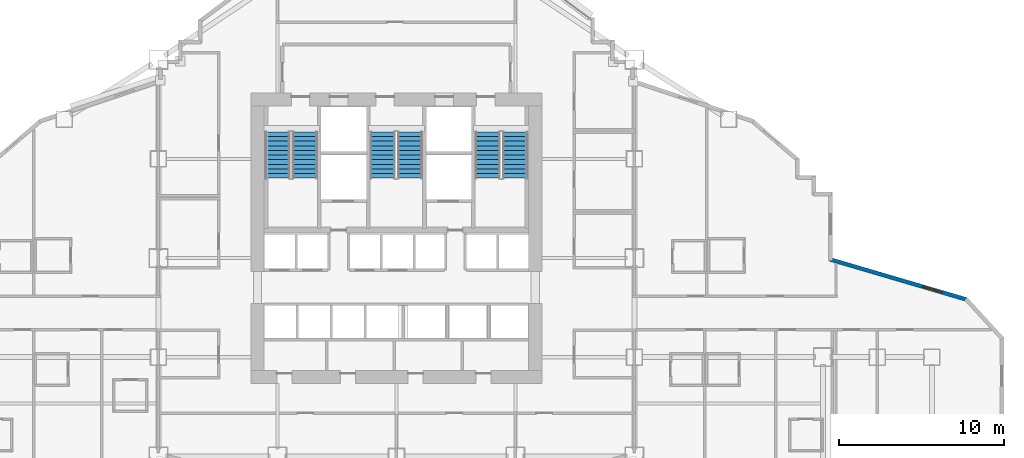
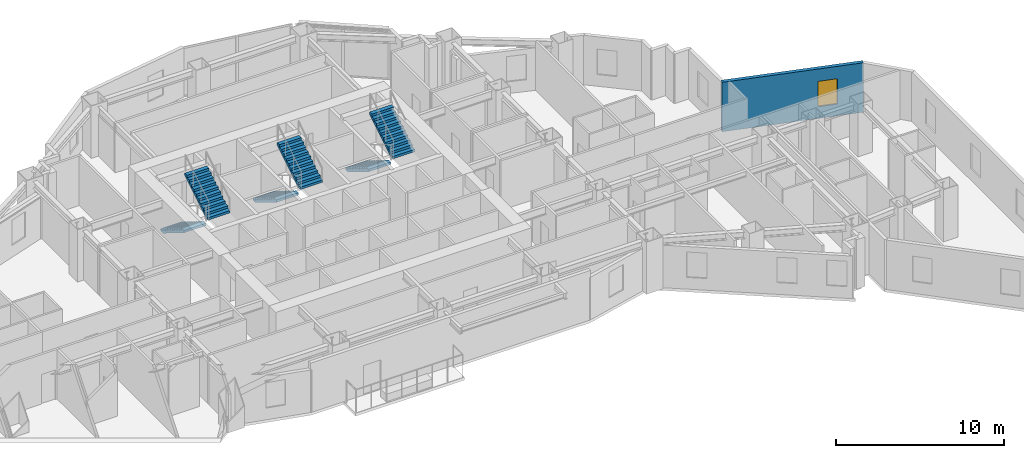
# One storey, part 12 of 17: 6 stair flights, 1 wall, 1 window, 1 opening, 3 elements without a shape of their own.
"""IFC4 building model written with IfcOpenShell, lengths in metres."""

from ifc_helpers import new_model, si_unit, direction, frame, frame_2d, origin, place, context, subcontext, project, spatial, polyline, rectangle, outline, extrude, material, layer, layer_set, type_object, element, fill, aggregate, save


model = new_model("IFC4")

# Units and contexts
model_context = context("Model", 3, precision=1e-05, world=origin(), true_north=direction((0.0, 1.0)))
body_context = subcontext(model_context, "Body", "Model", "MODEL_VIEW")
ifc_project = project(units=[si_unit("LENGTHUNIT", "METRE"), si_unit("AREAUNIT", "SQUARE_METRE"), si_unit("VOLUMEUNIT", "CUBIC_METRE"), si_unit("PLANEANGLEUNIT", "RADIAN"), si_unit("MASSUNIT", "GRAM", prefix="KILO")], contexts=[model_context])

# Site, building, storey
site_placement = place(None, origin())
site = spatial("IfcSite", under=ifc_project, at=site_placement, CompositionType="ELEMENT")
building_placement = place(site_placement, origin())
building = spatial("IfcBuilding", under=site, at=building_placement, Name="Haolan Belvedere Tower", CompositionType="ELEMENT")
storey_placement = place(building_placement, frame((0.0, 0.0, 55.199951171875)))
storey = spatial("IfcBuildingStorey", under=building, at=storey_placement, Name="L13", CompositionType="ELEMENT", Elevation=55.199951171875)

# Wall, opening, window
ifc_material_1 = material(Name="Precast concrete C40/50", Category="concrete")
ifc_layer = layer(ifc_material_1, 0.239990234375, Name="Precast concrete C40/50")
ifc_layer_set = layer_set([ifc_layer], Name="Precast concrete C40/50")
wall_type = type_object("IfcWallType", Name="WL-EXT-240", PredefinedType="SOLIDWALL", material=ifc_layer_set)
wall_placement = place(storey_placement, frame((72.947021484375, 31.078857421875, 0.0), z_axis=(0.0, 0.0, 1.0), x_axis=(-0.959372673811, 0.28214193723, 0.0)))
wall = element("IfcWall", 1, at=wall_placement, inside=storey, type_object=wall_type, Name="L13 pale-metal exterior spandrel wall 28.1", PredefinedType="SOLIDWALL", context=body_context, shape_type="SweptSolid", body=[
    extrude(rectangle(XDim=8.672119140625, YDim=0.239990234375, at=frame_2d((4.3359375, 0.0))), origin(), (0.0, 0.0, 1.0), 3.60009765625),
])
opening_placement = place(wall_placement, frame((1.60009765625, 0.0, 0.85009765625)))
opening = element("IfcOpeningElement", 2, at=opening_placement, cuts=wall, Name="Opening W-01", PredefinedType="OPENING", context=body_context, shape_type="SweptSolid", body=[
    extrude(rectangle(XDim=1.199951171875, YDim=1.85009765625, at=frame_2d((0.60009765625, 0.925048828125))), frame((0.0, 0.1298828125, 0.0), z_axis=(0.0, -1.0, 0.0), x_axis=(1.0, 0.0, 0.0)), (0.0, 0.0, 1.0), 0.260009765625),
])
ifc_material_2 = material(Name="Anodised aluminium 6063-T6 and Low-E glass", Category="aluminium")
window_type = type_object("IfcWindowType", Name="WN-DECO-Z1", PartitioningType="SINGLE_PANEL", PredefinedType="WINDOW", material=ifc_material_2)
window_placement = place(opening_placement, origin())
window = element("IfcWindow", 3, at=window_placement, inside=storey, type_object=window_type, Name="L13 Art Deco chevron window 1", OverallHeight=1.85009765625, OverallWidth=1.199951171875, PartitioningType="SINGLE_PANEL", PredefinedType="WINDOW", context=body_context, shape_type="SweptSolid", body=[
    extrude(rectangle(XDim=1.199951171875, YDim=1.85009765625, at=frame_2d((0.60009765625, 0.925048828125))), frame((0.0, 0.030029296875, 0.0), z_axis=(0.0, -1.0, 0.0), x_axis=(1.0, 0.0, 0.0)), (0.0, 0.0, 1.0), 0.06005859375),
])
fill(opening, window)

# Stair, stair flights
ifc_material_3 = material(Name="Concrete C40/50", Category="concrete")
stair_type = type_object("IfcStairType", Name="STR-DL-22R-173", PredefinedType="HALF_TURN_STAIR", material=ifc_material_3)
stair_1_placement = place(storey_placement, origin())
stair_1 = element("IfcStair", 4, at=stair_1_placement, inside=storey, type_object=stair_type, Name="L13 Smokeproof Core Exit Stair ST1", PredefinedType="HALF_TURN_STAIR")
stair_flight_type = type_object("IfcStairFlightType", Name="SFL-DL-11R-173", PredefinedType="STRAIGHT", material=ifc_material_3)
stair_flight_1_placement = place(storey_placement, frame((31.2099609375, 41.22998046875, 0.0), z_axis=(0.0, 0.0, 1.0), x_axis=(0.0, -1.0, 0.0)))
stair_flight_1 = element("IfcStairFlight", 5, at=stair_flight_1_placement, type_object=stair_flight_type, Name="ST1 flight 1", NumberOfRisers=11, NumberOfTreads=10, PredefinedType="STRAIGHT", RiserHeight=0.172727273, TreadLength=0.28, context=body_context, shape_type="SweptSolid", body=[
    extrude(outline(polyline([(0.0, 0.0), (0.0, 0.172607421875), (0.280029296875, 0.172607421875), (0.280029296875, 0.345458984375), (0.56005859375, 0.345458984375), (0.56005859375, 0.51806640625), (0.840087890625, 0.51806640625), (0.840087890625, 0.69091796875), (1.1201171875, 0.69091796875), (1.1201171875, 0.863525390625), (1.39990234375, 0.863525390625), (1.39990234375, 1.036376953125), (1.679931640625, 1.036376953125), (1.679931640625, 1.208984375), (1.9599609375, 1.208984375), (1.9599609375, 1.3818359375), (2.239990234375, 1.3818359375), (2.239990234375, 1.554443359375), (2.52001953125, 1.554443359375), (2.52001953125, 1.727294921875), (2.800048828125, 1.727294921875), (2.800048828125, 1.89990234375), (2.800048828125, 1.551025390625), (0.285400390625, 0.0), (0.0, 0.0)])), frame((0.0, 0.760009765625, 0.0), z_axis=(0.0, -1.0, 0.0), x_axis=(1.0, 0.0, 0.0)), (0.0, 0.0, 1.0), 1.52001953125),
])
stair_flight_2_placement = place(storey_placement, frame((32.8701171875, 38.429931640625, 1.900146484375), z_axis=(0.0, 0.0, 1.0), x_axis=(0.0, 1.0, 0.0)))
stair_flight_2 = element("IfcStairFlight", 6, at=stair_flight_2_placement, type_object=stair_flight_type, Name="ST1 flight 2", NumberOfRisers=11, NumberOfTreads=10, PredefinedType="STRAIGHT", RiserHeight=0.172727273, TreadLength=0.28, context=body_context, shape_type="SweptSolid", body=[
    extrude(outline(polyline([(0.0, 0.0), (0.0, 0.172607421875), (0.280029296875, 0.172607421875), (0.280029296875, 0.345458984375), (0.56005859375, 0.345458984375), (0.56005859375, 0.51806640625), (0.840087890625, 0.51806640625), (0.840087890625, 0.69091796875), (1.1201171875, 0.69091796875), (1.1201171875, 0.863525390625), (1.39990234375, 0.863525390625), (1.39990234375, 1.036376953125), (1.679931640625, 1.036376953125), (1.679931640625, 1.208984375), (1.9599609375, 1.208984375), (1.9599609375, 1.3818359375), (2.239990234375, 1.3818359375), (2.239990234375, 1.554443359375), (2.52001953125, 1.554443359375), (2.52001953125, 1.727294921875), (2.800048828125, 1.727294921875), (2.800048828125, 1.89990234375), (2.800048828125, 1.551025390625), (0.285400390625, 0.0), (0.0, 0.0)])), frame((0.0, 0.760009765625, 0.0), z_axis=(0.0, -1.0, 0.0), x_axis=(1.0, 0.0, 0.0)), (0.0, 0.0, 1.0), 1.52001953125),
])
aggregate(stair_1, [stair_flight_1, stair_flight_2])

stair_2_placement = place(storey_placement, origin())
stair_2 = element("IfcStair", 7, at=stair_2_placement, inside=storey, type_object=stair_type, Name="L13 Smokeproof Core Exit Stair ST3", PredefinedType="HALF_TURN_STAIR")
stair_flight_3_placement = place(storey_placement, frame((37.570068359375, 41.22998046875, 0.0), z_axis=(0.0, 0.0, 1.0), x_axis=(0.0, -1.0, 0.0)))
stair_flight_3 = element("IfcStairFlight", 8, at=stair_flight_3_placement, type_object=stair_flight_type, Name="ST3 flight 1", NumberOfRisers=11, NumberOfTreads=10, PredefinedType="STRAIGHT", RiserHeight=0.172727273, TreadLength=0.28, context=body_context, shape_type="SweptSolid", body=[
    extrude(outline(polyline([(0.0, 0.0), (0.0, 0.172607421875), (0.280029296875, 0.172607421875), (0.280029296875, 0.345458984375), (0.56005859375, 0.345458984375), (0.56005859375, 0.51806640625), (0.840087890625, 0.51806640625), (0.840087890625, 0.69091796875), (1.1201171875, 0.69091796875), (1.1201171875, 0.863525390625), (1.39990234375, 0.863525390625), (1.39990234375, 1.036376953125), (1.679931640625, 1.036376953125), (1.679931640625, 1.208984375), (1.9599609375, 1.208984375), (1.9599609375, 1.3818359375), (2.239990234375, 1.3818359375), (2.239990234375, 1.554443359375), (2.52001953125, 1.554443359375), (2.52001953125, 1.727294921875), (2.800048828125, 1.727294921875), (2.800048828125, 1.89990234375), (2.800048828125, 1.551025390625), (0.285400390625, 0.0), (0.0, 0.0)])), frame((0.0, 0.760009765625, 0.0), z_axis=(0.0, -1.0, 0.0), x_axis=(1.0, 0.0, 0.0)), (0.0, 0.0, 1.0), 1.52001953125),
])
stair_flight_4_placement = place(storey_placement, frame((39.22998046875, 38.429931640625, 1.900146484375), z_axis=(0.0, 0.0, 1.0), x_axis=(0.0, 1.0, 0.0)))
stair_flight_4 = element("IfcStairFlight", 9, at=stair_flight_4_placement, type_object=stair_flight_type, Name="ST3 flight 2", NumberOfRisers=11, NumberOfTreads=10, PredefinedType="STRAIGHT", RiserHeight=0.172727273, TreadLength=0.28, context=body_context, shape_type="SweptSolid", body=[
    extrude(outline(polyline([(0.0, 0.0), (0.0, 0.172607421875), (0.280029296875, 0.172607421875), (0.280029296875, 0.345458984375), (0.56005859375, 0.345458984375), (0.56005859375, 0.51806640625), (0.840087890625, 0.51806640625), (0.840087890625, 0.69091796875), (1.1201171875, 0.69091796875), (1.1201171875, 0.863525390625), (1.39990234375, 0.863525390625), (1.39990234375, 1.036376953125), (1.679931640625, 1.036376953125), (1.679931640625, 1.208984375), (1.9599609375, 1.208984375), (1.9599609375, 1.3818359375), (2.239990234375, 1.3818359375), (2.239990234375, 1.554443359375), (2.52001953125, 1.554443359375), (2.52001953125, 1.727294921875), (2.800048828125, 1.727294921875), (2.800048828125, 1.89990234375), (2.800048828125, 1.551025390625), (0.285400390625, 0.0), (0.0, 0.0)])), frame((0.0, 0.760009765625, 0.0), z_axis=(0.0, -1.0, 0.0), x_axis=(1.0, 0.0, 0.0)), (0.0, 0.0, 1.0), 1.52001953125),
])
aggregate(stair_2, [stair_flight_3, stair_flight_4])

stair_3_placement = place(storey_placement, origin())
stair_3 = element("IfcStair", 10, at=stair_3_placement, inside=storey, type_object=stair_type, Name="L13 Smokeproof Core Exit Stair ST2", PredefinedType="HALF_TURN_STAIR")
stair_flight_5_placement = place(storey_placement, frame((43.929931640625, 41.22998046875, 0.0), z_axis=(0.0, 0.0, 1.0), x_axis=(0.0, -1.0, 0.0)))
stair_flight_5 = element("IfcStairFlight", 11, at=stair_flight_5_placement, type_object=stair_flight_type, Name="ST2 flight 1", NumberOfRisers=11, NumberOfTreads=10, PredefinedType="STRAIGHT", RiserHeight=0.172727273, TreadLength=0.28, context=body_context, shape_type="SweptSolid", body=[
    extrude(outline(polyline([(0.0, 0.0), (0.0, 0.172607421875), (0.280029296875, 0.172607421875), (0.280029296875, 0.345458984375), (0.56005859375, 0.345458984375), (0.56005859375, 0.51806640625), (0.840087890625, 0.51806640625), (0.840087890625, 0.69091796875), (1.1201171875, 0.69091796875), (1.1201171875, 0.863525390625), (1.39990234375, 0.863525390625), (1.39990234375, 1.036376953125), (1.679931640625, 1.036376953125), (1.679931640625, 1.208984375), (1.9599609375, 1.208984375), (1.9599609375, 1.3818359375), (2.239990234375, 1.3818359375), (2.239990234375, 1.554443359375), (2.52001953125, 1.554443359375), (2.52001953125, 1.727294921875), (2.800048828125, 1.727294921875), (2.800048828125, 1.89990234375), (2.800048828125, 1.551025390625), (0.285400390625, 0.0), (0.0, 0.0)])), frame((0.0, 0.760009765625, 0.0), z_axis=(0.0, -1.0, 0.0), x_axis=(1.0, 0.0, 0.0)), (0.0, 0.0, 1.0), 1.52001953125),
])
stair_flight_6_placement = place(storey_placement, frame((45.590087890625, 38.429931640625, 1.900146484375), z_axis=(0.0, 0.0, 1.0), x_axis=(0.0, 1.0, 0.0)))
stair_flight_6 = element("IfcStairFlight", 12, at=stair_flight_6_placement, type_object=stair_flight_type, Name="ST2 flight 2", NumberOfRisers=11, NumberOfTreads=10, PredefinedType="STRAIGHT", RiserHeight=0.172727273, TreadLength=0.28, context=body_context, shape_type="SweptSolid", body=[
    extrude(outline(polyline([(0.0, 0.0), (0.0, 0.172607421875), (0.280029296875, 0.172607421875), (0.280029296875, 0.345458984375), (0.56005859375, 0.345458984375), (0.56005859375, 0.51806640625), (0.840087890625, 0.51806640625), (0.840087890625, 0.69091796875), (1.1201171875, 0.69091796875), (1.1201171875, 0.863525390625), (1.39990234375, 0.863525390625), (1.39990234375, 1.036376953125), (1.679931640625, 1.036376953125), (1.679931640625, 1.208984375), (1.9599609375, 1.208984375), (1.9599609375, 1.3818359375), (2.239990234375, 1.3818359375), (2.239990234375, 1.554443359375), (2.52001953125, 1.554443359375), (2.52001953125, 1.727294921875), (2.800048828125, 1.727294921875), (2.800048828125, 1.89990234375), (2.800048828125, 1.551025390625), (0.285400390625, 0.0), (0.0, 0.0)])), frame((0.0, 0.760009765625, 0.0), z_axis=(0.0, -1.0, 0.0), x_axis=(1.0, 0.0, 0.0)), (0.0, 0.0, 1.0), 1.52001953125),
])
aggregate(stair_3, [stair_flight_5, stair_flight_6])

save(model, "model.ifc")
